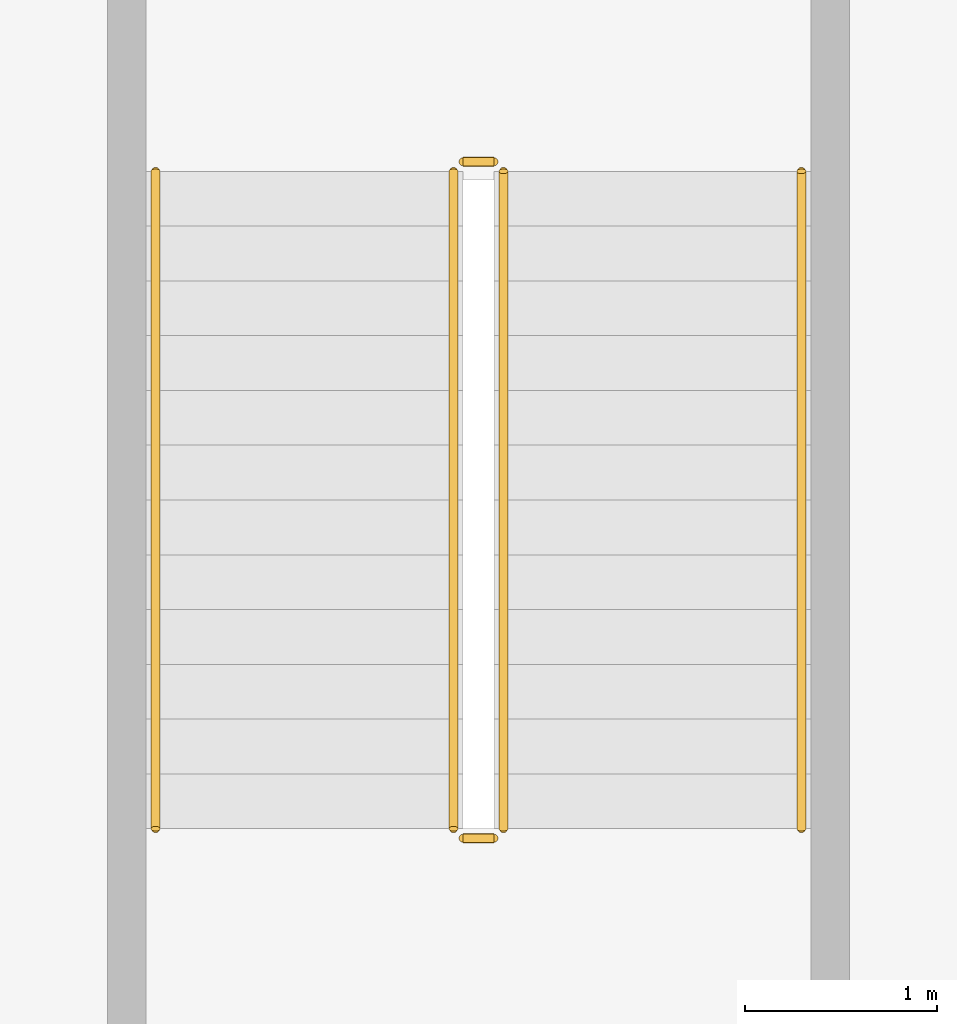
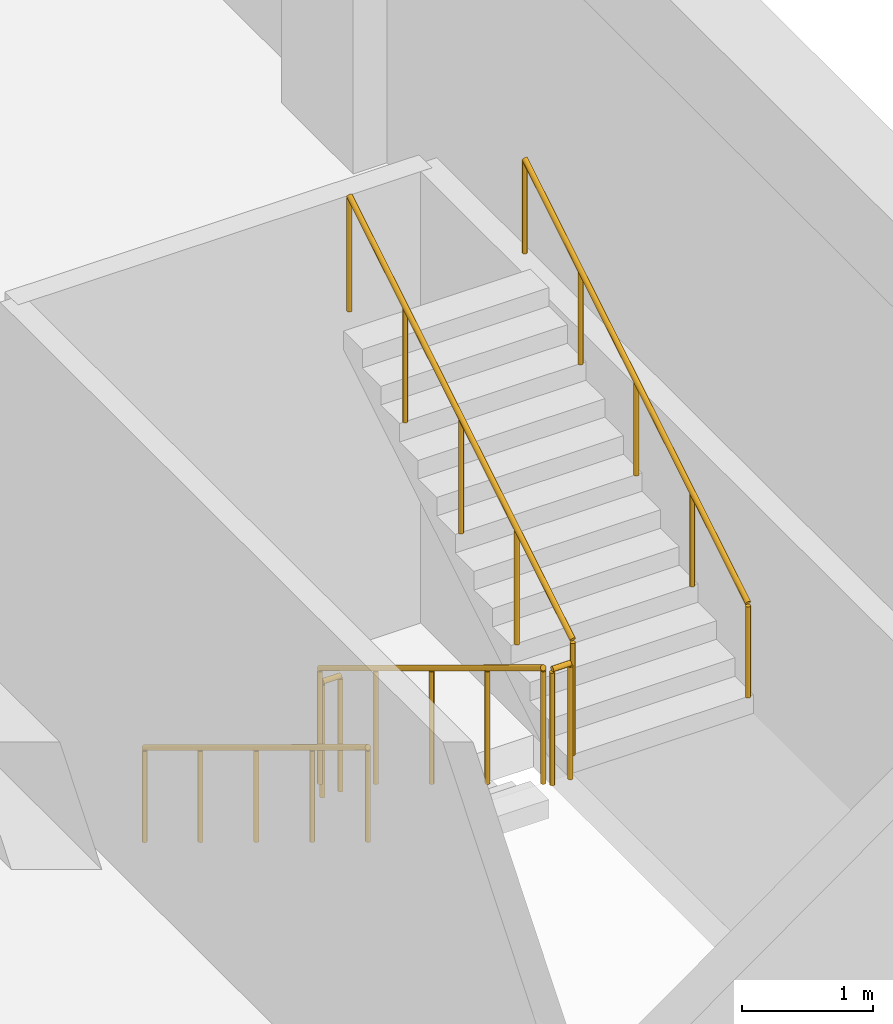
# One storey, part 16 of 16: 6 railings.
"""IFC4 building model written with IfcOpenShell, lengths in metres."""

from ifc_helpers import new_model, si_unit, direction, frame, origin, origin_2d, place, context, subcontext, project, spatial, circle, extrude, material, type_object, element, save


model = new_model("IFC4")

# Units and contexts
model_context = context("Model", 3, precision=1e-05, world=origin(), true_north=direction((0.0, 1.0)))
body_context = subcontext(model_context, "Body", "Model", "MODEL_VIEW")
ifc_project = project(units=[si_unit("LENGTHUNIT", "METRE"), si_unit("AREAUNIT", "SQUARE_METRE"), si_unit("VOLUMEUNIT", "CUBIC_METRE"), si_unit("PLANEANGLEUNIT", "RADIAN"), si_unit("MASSUNIT", "GRAM", prefix="KILO")], contexts=[model_context])

# Site, building, storey
site_placement = place(None, origin())
site = spatial("IfcSite", under=ifc_project, at=site_placement, CompositionType="ELEMENT")
building_placement = place(site_placement, origin())
building = spatial("IfcBuilding", under=site, at=building_placement, Name="Kovane Verandah Tower", CompositionType="ELEMENT")
storey_placement = place(building_placement, frame((0.0, 0.0, -4.5)))
storey = spatial("IfcBuildingStorey", under=building, at=storey_placement, Name="B1", CompositionType="ELEMENT", Elevation=-4.5)

# Railings
ifc_material_1 = material(Name="Brushed Stainless Steel Handrail", Category="steel")
railing_type_1 = type_object("IfcRailingType", Name="RL-HAND-920", PredefinedType="HANDRAIL", material=ifc_material_1)
railing_1_placement = place(storey_placement, frame((75.489990234375, 28.820068359375, 0.173095703125)))
element("IfcRailing", 1, at=railing_1_placement, inside=storey, type_object=railing_type_1, Name="B1 ST-05 stair handrail 1", PredefinedType="HANDRAIL", context=body_context, shape_type="SweptSolid", body=[
    extrude(circle(Radius=0.02392578125, at=origin_2d()), frame((0.0, 0.0, 0.8759765625), z_axis=(0.0, -0.854745945586, 0.519046595696), x_axis=(1.0, 0.0, 0.0)), (0.0, 0.0, 1.0), 4.00146484375),
    extrude(circle(Radius=0.02099609375, at=origin_2d()), origin(), (0.0, 0.0, 1.0), 0.851806640625),
    extrude(circle(Radius=0.02099609375, at=origin_2d()), frame((0.0, -0.85498046875, 0.519287109375)), (0.0, 0.0, 1.0), 0.851806640625),
    extrude(circle(Radius=0.02099609375, at=origin_2d()), frame((0.0, -1.7099609375, 1.03857421875)), (0.0, 0.0, 1.0), 0.851806640625),
    extrude(circle(Radius=0.02099609375, at=origin_2d()), frame((0.0, -2.565185546875, 1.5576171875)), (0.0, 0.0, 1.0), 0.851806640625),
    extrude(circle(Radius=0.02099609375, at=origin_2d()), frame((0.0, -3.420166015625, 2.076904296875)), (0.0, 0.0, 1.0), 0.851806640625),
])
railing_2_placement = place(storey_placement, frame((78.85009765625, 25.39990234375, 2.423095703125)))
element("IfcRailing", 2, at=railing_2_placement, inside=storey, type_object=railing_type_1, Name="B1 ST-05 stair handrail 2", PredefinedType="HANDRAIL", context=body_context, shape_type="SweptSolid", body=[
    extrude(circle(Radius=0.02392578125, at=origin_2d()), frame((0.0, 0.0, 0.8759765625), z_axis=(0.0, 0.854745945586, 0.519046595696), x_axis=(-1.0, 0.0, 0.0)), (0.0, 0.0, 1.0), 4.00146484375),
    extrude(circle(Radius=0.02099609375, at=origin_2d()), origin(), (0.0, 0.0, 1.0), 0.851806640625),
    extrude(circle(Radius=0.02099609375, at=origin_2d()), frame((0.0, 0.85498046875, 0.519287109375)), (0.0, 0.0, 1.0), 0.851806640625),
    extrude(circle(Radius=0.02099609375, at=origin_2d()), frame((0.0, 1.7099609375, 1.03857421875)), (0.0, 0.0, 1.0), 0.851806640625),
    extrude(circle(Radius=0.02099609375, at=origin_2d()), frame((0.0, 2.565185546875, 1.5576171875)), (0.0, 0.0, 1.0), 0.851806640625),
    extrude(circle(Radius=0.02099609375, at=origin_2d()), frame((0.0, 3.420166015625, 2.076904296875)), (0.0, 0.0, 1.0), 0.851806640625),
])
ifc_material_2 = material(Name="Painted Steel Stairwell Guardrail", Category="steel")
railing_type_2 = type_object("IfcRailingType", Name="RL-STGUARD-1120", PredefinedType="GUARDRAIL", material=ifc_material_2)
railing_3_placement = place(storey_placement, frame((77.0400390625, 28.820068359375, 0.173095703125)))
element("IfcRailing", 3, at=railing_3_placement, inside=storey, type_object=railing_type_2, Name="B1 ST-05 stair guard 1", PredefinedType="GUARDRAIL", context=body_context, shape_type="SweptSolid", body=[
    extrude(circle(Radius=0.02392578125, at=origin_2d()), frame((0.0, 0.0, 1.076171875), z_axis=(0.0, -0.854745945586, 0.519046595696), x_axis=(1.0, 0.0, 0.0)), (0.0, 0.0, 1.0), 4.00146484375),
    extrude(circle(Radius=0.02099609375, at=origin_2d()), origin(), (0.0, 0.0, 1.0), 1.052001953125),
    extrude(circle(Radius=0.02099609375, at=origin_2d()), frame((0.0, -0.85498046875, 0.519287109375)), (0.0, 0.0, 1.0), 1.052001953125),
    extrude(circle(Radius=0.02099609375, at=origin_2d()), frame((0.0, -1.7099609375, 1.03857421875)), (0.0, 0.0, 1.0), 1.052001953125),
    extrude(circle(Radius=0.02099609375, at=origin_2d()), frame((0.0, -2.565185546875, 1.5576171875)), (0.0, 0.0, 1.0), 1.052001953125),
    extrude(circle(Radius=0.02099609375, at=origin_2d()), frame((0.0, -3.420166015625, 2.076904296875)), (0.0, 0.0, 1.0), 1.052001953125),
])
railing_4_placement = place(storey_placement, frame((77.090087890625, 25.35009765625, 2.25)))
element("IfcRailing", 4, at=railing_4_placement, inside=storey, type_object=railing_type_2, Name="B1 ST-05 stair guard 2", PredefinedType="GUARDRAIL", context=body_context, shape_type="SweptSolid", body=[
    extrude(circle(Radius=0.02392578125, at=origin_2d()), frame((0.0, 0.0, 1.076171875), z_axis=(1.0, 0.0, 0.0), x_axis=(0.0, 1.0, 0.0)), (0.0, 0.0, 1.0), 0.159912109375),
    extrude(circle(Radius=0.02099609375, at=origin_2d()), origin(), (0.0, 0.0, 1.0), 1.052001953125),
    extrude(circle(Radius=0.02099609375, at=origin_2d()), frame((0.159912109375, 0.0, 0.0)), (0.0, 0.0, 1.0), 1.052001953125),
])
railing_5_placement = place(storey_placement, frame((77.300048828125, 25.39990234375, 2.423095703125)))
element("IfcRailing", 5, at=railing_5_placement, inside=storey, type_object=railing_type_2, Name="B1 ST-05 stair guard 3", PredefinedType="GUARDRAIL", context=body_context, shape_type="SweptSolid", body=[
    extrude(circle(Radius=0.02392578125, at=origin_2d()), frame((0.0, 0.0, 1.076171875), z_axis=(0.0, 0.854745945586, 0.519046595696), x_axis=(-1.0, 0.0, 0.0)), (0.0, 0.0, 1.0), 4.00146484375),
    extrude(circle(Radius=0.02099609375, at=origin_2d()), origin(), (0.0, 0.0, 1.0), 1.052001953125),
    extrude(circle(Radius=0.02099609375, at=origin_2d()), frame((0.0, 0.85498046875, 0.519287109375)), (0.0, 0.0, 1.0), 1.052001953125),
    extrude(circle(Radius=0.02099609375, at=origin_2d()), frame((0.0, 1.7099609375, 1.03857421875)), (0.0, 0.0, 1.0), 1.052001953125),
    extrude(circle(Radius=0.02099609375, at=origin_2d()), frame((0.0, 2.565185546875, 1.5576171875)), (0.0, 0.0, 1.0), 1.052001953125),
    extrude(circle(Radius=0.02099609375, at=origin_2d()), frame((0.0, 3.420166015625, 2.076904296875)), (0.0, 0.0, 1.0), 1.052001953125),
])
railing_6_placement = place(storey_placement, frame((77.090087890625, 28.8701171875, 0.0)))
element("IfcRailing", 6, at=railing_6_placement, inside=storey, type_object=railing_type_2, Name="B1 ST-05 stair guard 4", PredefinedType="GUARDRAIL", context=body_context, shape_type="SweptSolid", body=[
    extrude(circle(Radius=0.02392578125, at=origin_2d()), frame((0.0, 0.0, 1.076171875), z_axis=(1.0, 0.0, 0.0), x_axis=(0.0, 1.0, 0.0)), (0.0, 0.0, 1.0), 0.159912109375),
    extrude(circle(Radius=0.02099609375, at=origin_2d()), origin(), (0.0, 0.0, 1.0), 1.052001953125),
    extrude(circle(Radius=0.02099609375, at=origin_2d()), frame((0.159912109375, 0.0, 0.0)), (0.0, 0.0, 1.0), 1.052001953125),
])

save(model, "model.ifc")
